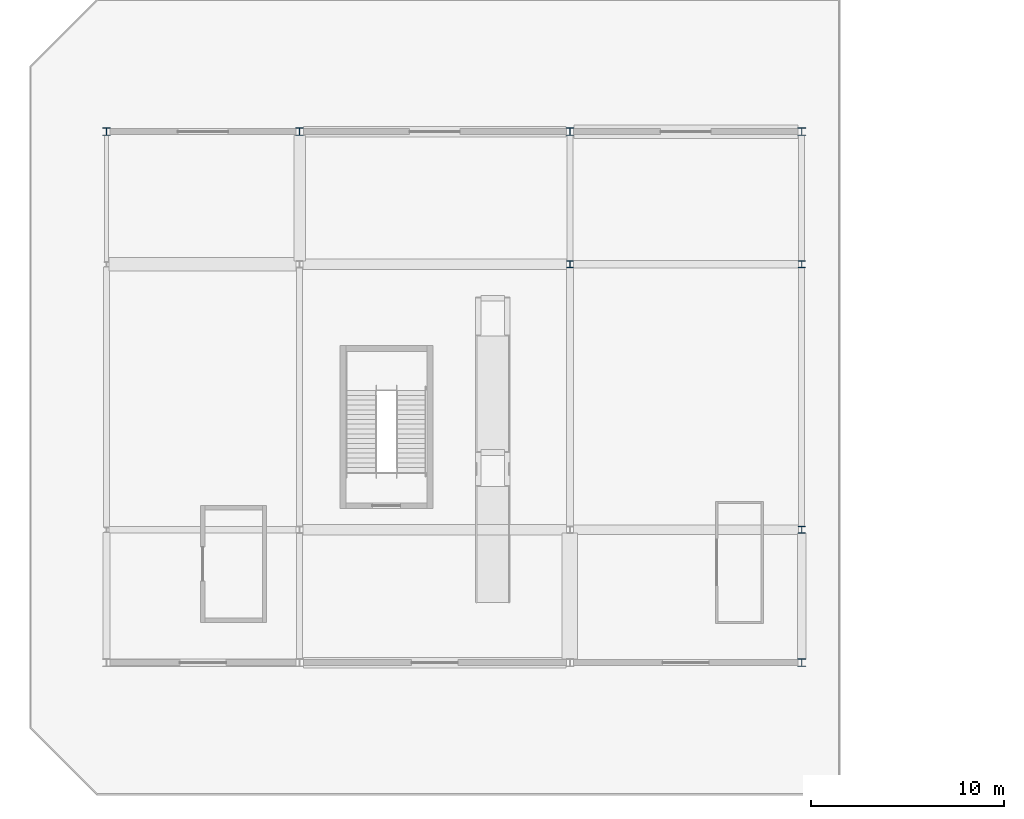
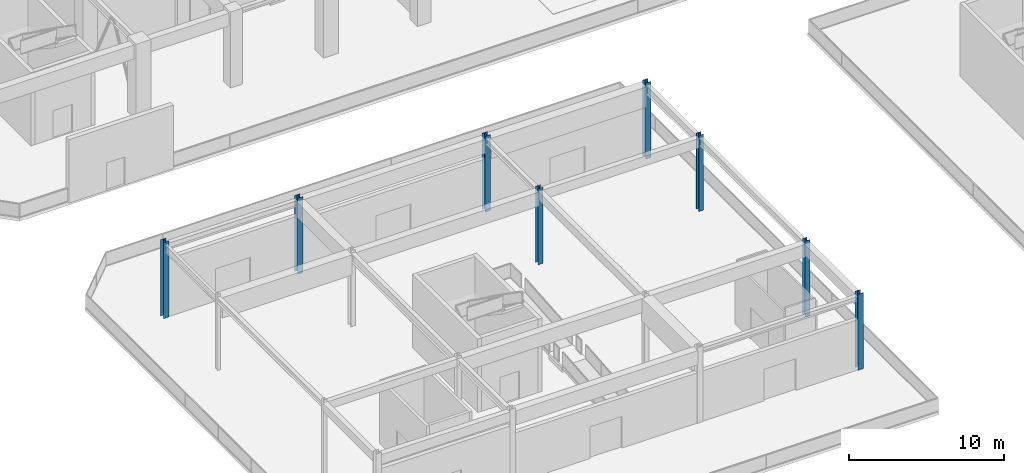
# One storey, part 2 of 73: 8 columns.
"""IFC4 building model written with IfcOpenShell, lengths in metres."""

from ifc_helpers import new_model, si_unit, direction, frame, origin, origin_2d, place, context, subcontext, project, spatial, i_section, extrude, material, material_profile, profile_set, type_object, element, save


model = new_model("IFC4")

# Units and contexts
model_context = context("Model", 3, precision=1e-05, world=origin(), true_north=direction((0.0, 1.0)))
body_context = subcontext(model_context, "Body", "Model", "MODEL_VIEW")
ifc_project = project(units=[si_unit("LENGTHUNIT", "METRE"), si_unit("AREAUNIT", "SQUARE_METRE"), si_unit("VOLUMEUNIT", "CUBIC_METRE"), si_unit("PLANEANGLEUNIT", "RADIAN"), si_unit("MASSUNIT", "GRAM", prefix="KILO")], contexts=[model_context])

# Site, building, storey
site_placement = place(None, origin())
site = spatial("IfcSite", under=ifc_project, at=site_placement, CompositionType="ELEMENT")
building_placement = place(site_placement, origin())
building = spatial("IfcBuilding", under=site, at=building_placement, Name="Linyun Crest Stadium", CompositionType="ELEMENT")
storey_placement = place(building_placement, origin())
storey = spatial("IfcBuildingStorey", under=building, at=storey_placement, Name="L01", CompositionType="ELEMENT", Elevation=0.0)

# Columns
ifc_material_1 = material(Name="Steel Q355C", Category="steel")
ifc_material_profile_1 = material_profile(ifc_material_1, i_section(OverallWidth=0.35009765625, OverallDepth=0.35009765625, WebThickness=0.011962890625, FlangeThickness=0.01904296875, at=origin_2d()), Name="HW 350x350")
ifc_profile_set_1 = profile_set([ifc_material_profile_1], Name="Steel Q355C")
column_type_1 = type_object("IfcColumnType", Name="SC01", PredefinedType="COLUMN", material=ifc_profile_set_1)
for number, where, z_axis, x_axis, name in (
    (1, (-70.0, -73.5, 0.0), (0.0, 0.0, 1.0), (1.0, 0.0, 0.0), "Column SC01 L01 881"),
    (2, (-58.0, -87.25, 0.0), (0.0, 0.0, 1.0), (1.0, 0.0, 0.0), "Column SC01 L01 890"),
    (3, (-58.0, -73.5, 0.0), (0.0, 0.0, 1.0), (1.0, 0.0, 0.0), "Column SC01 L01 893"),
):
    element("IfcColumn", number, at=place(storey_placement, frame(where, z_axis=z_axis, x_axis=x_axis)), inside=storey, type_object=column_type_1, Name=name, PredefinedType="COLUMN", context=body_context, shape_type="SweptSolid", body=[
        extrude(i_section(OverallWidth=0.35009765625, OverallDepth=0.35009765625, WebThickness=0.011962890625, FlangeThickness=0.01904296875, at=origin_2d()), origin(), (0.0, 0.0, 1.0), 5.998046875),
    ])
ifc_material_2 = material(Name="Steel Q355C", Category="steel")
ifc_material_profile_2 = material_profile(ifc_material_2, i_section(OverallWidth=0.39990234375, OverallDepth=0.39990234375, WebThickness=0.012939453125, FlangeThickness=0.02099609375, at=origin_2d()), Name="HW 400x400")
ifc_profile_set_2 = profile_set([ifc_material_profile_2], Name="Steel Q355C")
column_type_2 = type_object("IfcColumnType", Name="SC02", PredefinedType="COLUMN", material=ifc_profile_set_2)
for number, where, z_axis, x_axis, name in (
    (4, (-94.0, -66.625, 0.0), (0.0, 0.0, 1.0), (1.0, 0.0, 0.0), "Column SC02 L01 860"),
    (5, (-84.0, -66.625, 0.0), (0.0, 0.0, 1.0), (1.0, 0.0, 0.0), "Column SC02 L01 872"),
    (6, (-70.0, -66.625, 0.0), (0.0, 0.0, 1.0), (1.0, 0.0, 0.0), "Column SC02 L01 884"),
    (7, (-58.0, -94.125, 0.0), (0.0, 0.0, 1.0), (1.0, 0.0, 0.0), "Column SC02 L01 887"),
    (8, (-58.0, -66.625, 0.0), (0.0, 0.0, 1.0), (1.0, 0.0, 0.0), "Column SC02 L01 896"),
):
    element("IfcColumn", number, at=place(storey_placement, frame(where, z_axis=z_axis, x_axis=x_axis)), inside=storey, type_object=column_type_2, Name=name, PredefinedType="COLUMN", context=body_context, shape_type="SweptSolid", body=[
        extrude(i_section(OverallWidth=0.39990234375, OverallDepth=0.39990234375, WebThickness=0.012939453125, FlangeThickness=0.02099609375, at=origin_2d()), origin(), (0.0, 0.0, 1.0), 5.998046875),
    ])

save(model, "model.ifc")
